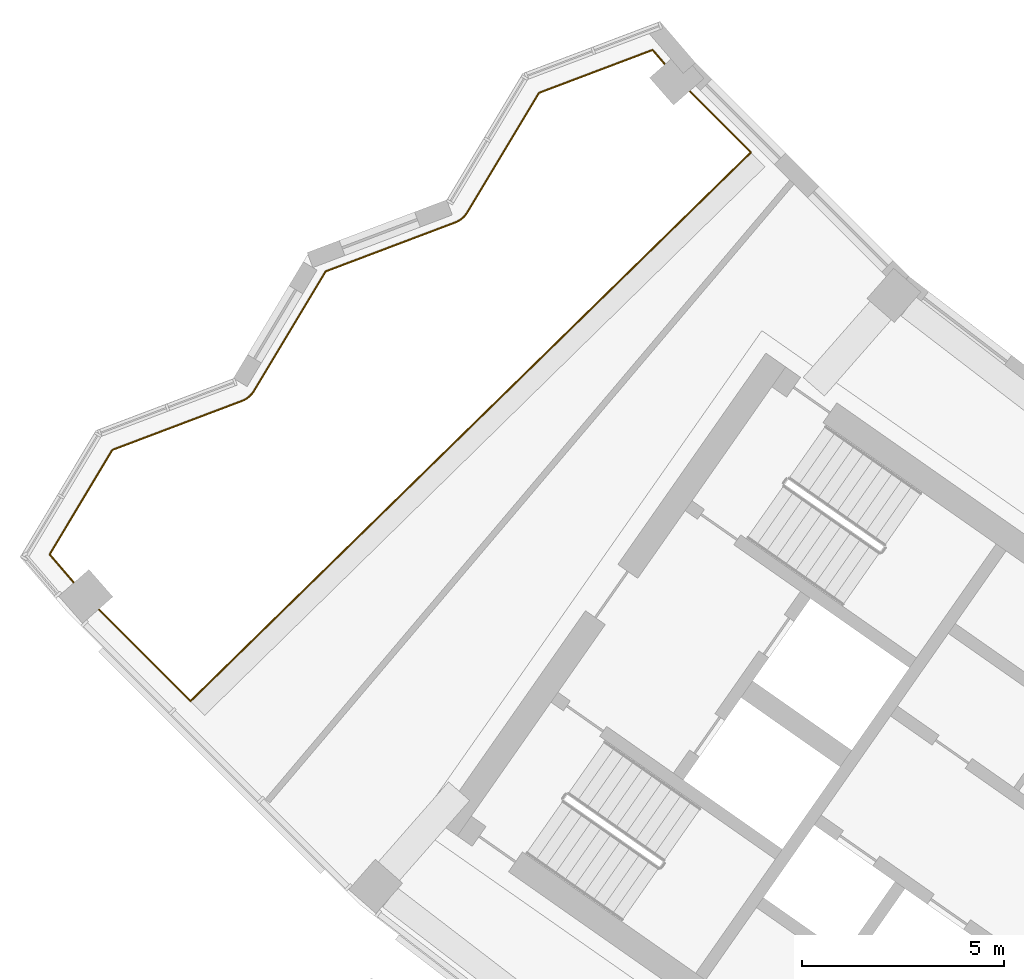
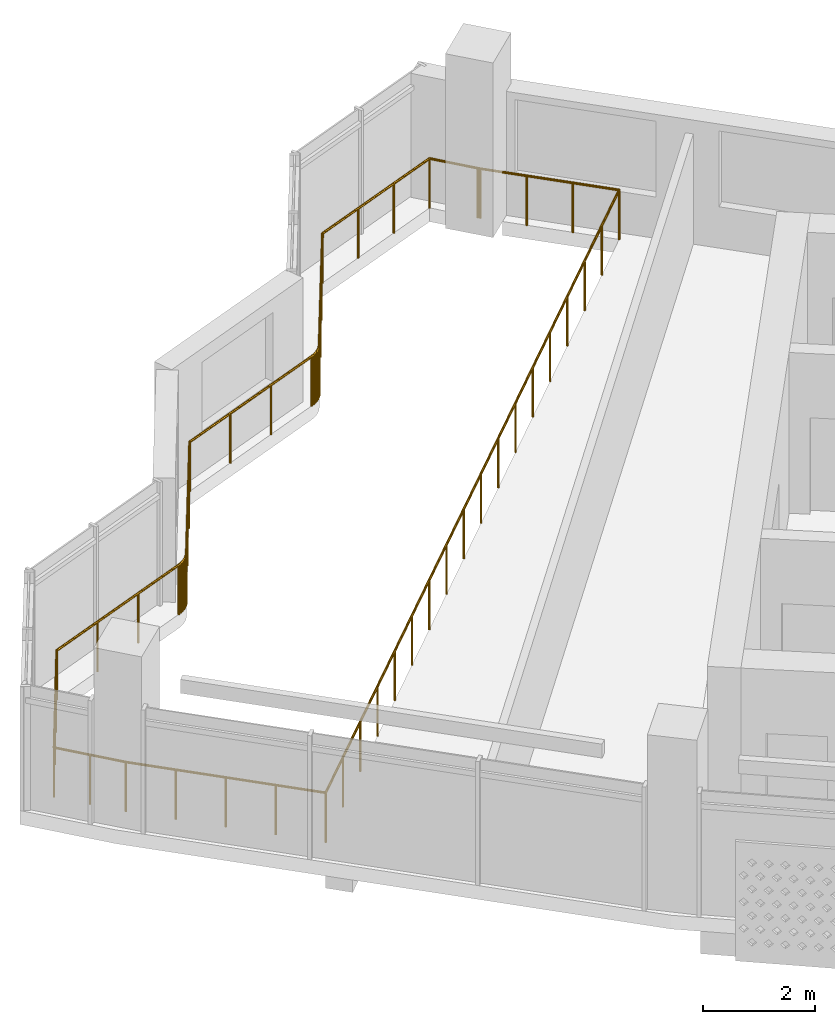
# One storey, part 26 of 29: 1 railing.
"""IFC4 building model written with IfcOpenShell, lengths in metres."""

from ifc_helpers import new_model, si_unit, direction, frame, origin, origin_2d, place, context, subcontext, project, spatial, circle, extrude, material, type_object, element, save


model = new_model("IFC4")

# Units and contexts
model_context = context("Model", 3, precision=1e-05, world=origin(), true_north=direction((0.0, 1.0)))
body_context = subcontext(model_context, "Body", "Model", "MODEL_VIEW")
ifc_project = project(units=[si_unit("LENGTHUNIT", "METRE"), si_unit("AREAUNIT", "SQUARE_METRE"), si_unit("VOLUMEUNIT", "CUBIC_METRE"), si_unit("PLANEANGLEUNIT", "RADIAN"), si_unit("MASSUNIT", "GRAM", prefix="KILO")], contexts=[model_context])

# Site, building, storey
site_placement = place(None, origin())
site = spatial("IfcSite", under=ifc_project, at=site_placement, CompositionType="ELEMENT")
building_placement = place(site_placement, origin())
building = spatial("IfcBuilding", under=site, at=building_placement, Name="Qamariyya Broadcast Tower", CompositionType="ELEMENT")
storey_placement = place(building_placement, frame((0.0, 0.0, 261.89990234375)))
storey = spatial("IfcBuildingStorey", under=building, at=storey_placement, Name="L63", CompositionType="ELEMENT", Elevation=261.89990234375)

# Railing
ifc_material = material(Name="Stainless steel S316 balustrade", Category="steel")
railing_type = type_object("IfcRailingType", Name="Garden void guard", PredefinedType="GUARDRAIL", material=ifc_material)
railing_placement = place(storey_placement, frame((-58.466064453125, -51.251708984375, 0.0)))
element("IfcRailing", 1, at=railing_placement, inside=storey, type_object=railing_type, Name="Guard round Sky garden B5", PredefinedType="GUARDRAIL", context=body_context, shape_type="SweptSolid", body=[
    extrude(circle(Radius=0.02392578125, at=origin_2d()), frame((0.0, 0.0, 1.076171875), z_axis=(0.707106781187, -0.707106781187, 0.0), x_axis=(0.707106781187, 0.707106781187, 0.0)), (0.0, 0.0, 1.0), 3.688720703125),
    extrude(circle(Radius=0.02392578125, at=origin_2d()), frame((2.6083984375, -2.6083984375, 1.076171875), z_axis=(0.71447749476, 0.699658423434, 0.0), x_axis=(-0.699658423434, 0.71447749476, 0.0)), (0.0, 0.0, 1.0), 19.456787109375),
    extrude(circle(Radius=0.02392578125, at=origin_2d()), frame((16.509765625, 11.004638671875, 1.076171875), z_axis=(-0.707106781187, 0.707106781187, 0.0), x_axis=(-0.707106781187, -0.707106781187, 0.0)), (0.0, 0.0, 1.0), 2.561767578125),
    extrude(circle(Radius=0.02392578125, at=origin_2d()), frame((14.6982421875, 12.816162109375, 1.076171875), z_axis=(-0.680248811934, 0.732981277975, 0.0), x_axis=(-0.732981277975, -0.680248811934, 0.0)), (0.0, 0.0, 1.0), 0.04638671875),
    extrude(circle(Radius=0.02392578125, at=origin_2d()), frame((14.666748046875, 12.85009765625, 1.076171875), z_axis=(-0.650483197901, 0.759520644386, 0.0), x_axis=(-0.759520644386, -0.650483197901, 0.0)), (0.0, 0.0, 1.0), 0.91357421875),
    extrude(circle(Radius=0.02392578125, at=origin_2d()), frame((14.072509765625, 13.5439453125, 1.076171875), z_axis=(-0.935534008781, -0.353236632323, 0.0), x_axis=(0.353236632323, -0.935534008781, 0.0)), (0.0, 0.0, 1.0), 3.011962890625),
    extrude(circle(Radius=0.02392578125, at=origin_2d()), frame((11.254638671875, 12.47998046875, 1.076171875), z_axis=(-0.514464582217, -0.857511628868, 0.0), x_axis=(0.857511628868, -0.514464582217, 0.0)), (0.0, 0.0, 1.0), 3.455322265625),
    extrude(circle(Radius=0.02392578125, at=origin_2d()), frame((9.47705078125, 9.51708984375, 1.076171875), z_axis=(-0.554700196225, -0.832050294338, 0.0), x_axis=(0.832050294338, -0.554700196225, 0.0)), (0.0, 0.0, 1.0), 0.05712890625),
    extrude(circle(Radius=0.02392578125, at=origin_2d()), frame((9.4453125, 9.469482421875, 1.076171875), z_axis=(-0.628831476095, -0.777541622469, 0.0), x_axis=(0.777541622469, -0.628831476095, 0.0)), (0.0, 0.0, 1.0), 0.057373046875),
    extrude(circle(Radius=0.02392578125, at=origin_2d()), frame((9.4091796875, 9.4248046875, 1.076171875), z_axis=(-0.702834349061, -0.711353553292, 0.0), x_axis=(0.711353553292, -0.702834349061, 0.0)), (0.0, 0.0, 1.0), 0.057373046875),
    extrude(circle(Radius=0.02392578125, at=origin_2d()), frame((9.368896484375, 9.384033203125, 1.076171875), z_axis=(-0.769961845988, -0.638089927614, 0.0), x_axis=(0.638089927614, -0.769961845988, 0.0)), (0.0, 0.0, 1.0), 0.057373046875),
    extrude(circle(Radius=0.02392578125, at=origin_2d()), frame((9.32470703125, 9.347412109375, 1.076171875), z_axis=(-0.824785502521, -0.56544573111, 0.0), x_axis=(0.56544573111, -0.824785502521, 0.0)), (0.0, 0.0, 1.0), 0.057373046875),
    extrude(circle(Radius=0.02392578125, at=origin_2d()), frame((9.27734375, 9.31494140625, 1.076171875), z_axis=(-0.875764543787, -0.482738504624, 0.0), x_axis=(0.482738504624, -0.875764543787, 0.0)), (0.0, 0.0, 1.0), 0.05712890625),
    extrude(circle(Radius=0.02392578125, at=origin_2d()), frame((9.227294921875, 9.287353515625, 1.076171875), z_axis=(-0.916935025341, -0.399036538806, 0.0), x_axis=(0.399036538806, -0.916935025341, 0.0)), (0.0, 0.0, 1.0), 0.0576171875),
    extrude(circle(Radius=0.02392578125, at=origin_2d()), frame((9.174560546875, 9.264404296875, 1.076171875), z_axis=(-0.935490895802, -0.353350794356, 0.0), x_axis=(0.353350794356, -0.935490895802, 0.0)), (0.0, 0.0, 1.0), 3.433837890625),
    extrude(circle(Radius=0.02392578125, at=origin_2d()), frame((5.962158203125, 8.051025390625, 1.076171875), z_axis=(-0.514350227014, -0.857580225967, 0.0), x_axis=(0.857580225967, -0.514350227014, 0.0)), (0.0, 0.0, 1.0), 3.4541015625),
    extrude(circle(Radius=0.02392578125, at=origin_2d()), frame((4.185546875, 5.0888671875, 1.076171875), z_axis=(-0.554700196225, -0.832050294338, 0.0), x_axis=(0.832050294338, -0.554700196225, 0.0)), (0.0, 0.0, 1.0), 0.05712890625),
    extrude(circle(Radius=0.02392578125, at=origin_2d()), frame((4.15380859375, 5.041259765625, 1.076171875), z_axis=(-0.63346927771, -0.773767842572, 0.0), x_axis=(0.773767842572, -0.63346927771, 0.0)), (0.0, 0.0, 1.0), 0.057373046875),
    extrude(circle(Radius=0.02392578125, at=origin_2d()), frame((4.117431640625, 4.996826171875, 1.076171875), z_axis=(-0.702834349061, -0.711353553292, 0.0), x_axis=(0.711353553292, -0.702834349061, 0.0)), (0.0, 0.0, 1.0), 0.057373046875),
    extrude(circle(Radius=0.02392578125, at=origin_2d()), frame((4.0771484375, 4.9560546875, 1.076171875), z_axis=(-0.766123938186, -0.642692859256, 0.0), x_axis=(0.642692859256, -0.766123938186, 0.0)), (0.0, 0.0, 1.0), 0.057373046875),
    extrude(circle(Radius=0.02392578125, at=origin_2d()), frame((4.033203125, 4.919189453125, 1.076171875), z_axis=(-0.824785502521, -0.56544573111, 0.0), x_axis=(0.56544573111, -0.824785502521, 0.0)), (0.0, 0.0, 1.0), 0.057373046875),
    extrude(circle(Radius=0.02392578125, at=origin_2d()), frame((3.98583984375, 4.88671875, 1.076171875), z_axis=(-0.875764543787, -0.482738504624, 0.0), x_axis=(0.482738504624, -0.875764543787, 0.0)), (0.0, 0.0, 1.0), 0.05712890625),
    extrude(circle(Radius=0.02392578125, at=origin_2d()), frame((3.935791015625, 4.859130859375, 1.076171875), z_axis=(-0.916935025341, -0.399036538806, 0.0), x_axis=(0.399036538806, -0.916935025341, 0.0)), (0.0, 0.0, 1.0), 0.0576171875),
    extrude(circle(Radius=0.02392578125, at=origin_2d()), frame((3.883056640625, 4.836181640625, 1.076171875), z_axis=(-0.935479403611, -0.353381218261, 0.0), x_axis=(0.353381218261, -0.935479403611, 0.0)), (0.0, 0.0, 1.0), 3.43505859375),
    extrude(circle(Radius=0.02392578125, at=origin_2d()), frame((0.669677734375, 3.622314453125, 1.076171875), z_axis=(-0.514246148045, -0.857642640743, 0.0), x_axis=(0.857642640743, -0.514246148045, 0.0)), (0.0, 0.0, 1.0), 3.020751953125),
    extrude(circle(Radius=0.02392578125, at=origin_2d()), frame((-0.8837890625, 1.031494140625, 1.076171875), z_axis=(0.650643343429, -0.759383460217, 0.0), x_axis=(0.759383460217, 0.650643343429, 0.0)), (0.0, 0.0, 1.0), 1.3583984375),
    extrude(circle(Radius=0.02099609375, at=origin_2d()), origin(), (0.0, 0.0, 1.0), 1.052001953125),
    extrude(circle(Radius=0.02099609375, at=origin_2d()), frame((0.652099609375, -0.652099609375, 0.0)), (0.0, 0.0, 1.0), 1.052001953125),
    extrude(circle(Radius=0.02099609375, at=origin_2d()), frame((1.30419921875, -1.30419921875, 0.0)), (0.0, 0.0, 1.0), 1.052001953125),
    extrude(circle(Radius=0.02099609375, at=origin_2d()), frame((1.956298828125, -1.956298828125, 0.0)), (0.0, 0.0, 1.0), 1.052001953125),
    extrude(circle(Radius=0.02099609375, at=origin_2d()), frame((2.6083984375, -2.6083984375, 0.0)), (0.0, 0.0, 1.0), 1.052001953125),
    extrude(circle(Radius=0.02099609375, at=origin_2d()), frame((3.426025390625, -1.8076171875, 0.0)), (0.0, 0.0, 1.0), 1.052001953125),
    extrude(circle(Radius=0.02099609375, at=origin_2d()), frame((4.243896484375, -1.0068359375, 0.0)), (0.0, 0.0, 1.0), 1.052001953125),
    extrude(circle(Radius=0.02099609375, at=origin_2d()), frame((5.0615234375, -0.2060546875, 0.0)), (0.0, 0.0, 1.0), 1.052001953125),
    extrude(circle(Radius=0.02099609375, at=origin_2d()), frame((5.87939453125, 0.5947265625, 0.0)), (0.0, 0.0, 1.0), 1.052001953125),
    extrude(circle(Radius=0.02099609375, at=origin_2d()), frame((6.697021484375, 1.3955078125, 0.0)), (0.0, 0.0, 1.0), 1.052001953125),
    extrude(circle(Radius=0.02099609375, at=origin_2d()), frame((7.5146484375, 2.1962890625, 0.0)), (0.0, 0.0, 1.0), 1.052001953125),
    extrude(circle(Radius=0.02099609375, at=origin_2d()), frame((8.33251953125, 2.9970703125, 0.0)), (0.0, 0.0, 1.0), 1.052001953125),
    extrude(circle(Radius=0.02099609375, at=origin_2d()), frame((9.150146484375, 3.7978515625, 0.0)), (0.0, 0.0, 1.0), 1.052001953125),
    extrude(circle(Radius=0.02099609375, at=origin_2d()), frame((9.968017578125, 4.598388671875, 0.0)), (0.0, 0.0, 1.0), 1.052001953125),
    extrude(circle(Radius=0.02099609375, at=origin_2d()), frame((10.78564453125, 5.399169921875, 0.0)), (0.0, 0.0, 1.0), 1.052001953125),
    extrude(circle(Radius=0.02099609375, at=origin_2d()), frame((11.603515625, 6.199951171875, 0.0)), (0.0, 0.0, 1.0), 1.052001953125),
    extrude(circle(Radius=0.02099609375, at=origin_2d()), frame((12.421142578125, 7.000732421875, 0.0)), (0.0, 0.0, 1.0), 1.052001953125),
    extrude(circle(Radius=0.02099609375, at=origin_2d()), frame((13.23876953125, 7.801513671875, 0.0)), (0.0, 0.0, 1.0), 1.052001953125),
    extrude(circle(Radius=0.02099609375, at=origin_2d()), frame((14.056640625, 8.602294921875, 0.0)), (0.0, 0.0, 1.0), 1.052001953125),
    extrude(circle(Radius=0.02099609375, at=origin_2d()), frame((14.874267578125, 9.403076171875, 0.0)), (0.0, 0.0, 1.0), 1.052001953125),
    extrude(circle(Radius=0.02099609375, at=origin_2d()), frame((15.692138671875, 10.203857421875, 0.0)), (0.0, 0.0, 1.0), 1.052001953125),
    extrude(circle(Radius=0.02099609375, at=origin_2d()), frame((16.509765625, 11.004638671875, 0.0)), (0.0, 0.0, 1.0), 1.052001953125),
    extrude(circle(Radius=0.02099609375, at=origin_2d()), frame((15.906005859375, 11.6083984375, 0.0)), (0.0, 0.0, 1.0), 1.052001953125),
    extrude(circle(Radius=0.02099609375, at=origin_2d()), frame((15.302001953125, 12.21240234375, 0.0)), (0.0, 0.0, 1.0), 1.052001953125),
    extrude(circle(Radius=0.02099609375, at=origin_2d()), frame((14.6982421875, 12.816162109375, 0.0)), (0.0, 0.0, 1.0), 1.052001953125),
    extrude(circle(Radius=0.02099609375, at=origin_2d()), frame((14.666748046875, 12.85009765625, 0.0)), (0.0, 0.0, 1.0), 1.052001953125),
    extrude(circle(Radius=0.02099609375, at=origin_2d()), frame((14.072509765625, 13.5439453125, 0.0)), (0.0, 0.0, 1.0), 1.052001953125),
    extrude(circle(Radius=0.02099609375, at=origin_2d()), frame((13.13330078125, 13.189208984375, 0.0)), (0.0, 0.0, 1.0), 1.052001953125),
    extrude(circle(Radius=0.02099609375, at=origin_2d()), frame((12.19384765625, 12.834716796875, 0.0)), (0.0, 0.0, 1.0), 1.052001953125),
    extrude(circle(Radius=0.02099609375, at=origin_2d()), frame((11.254638671875, 12.47998046875, 0.0)), (0.0, 0.0, 1.0), 1.052001953125),
    extrude(circle(Radius=0.02099609375, at=origin_2d()), frame((10.662109375, 11.492431640625, 0.0)), (0.0, 0.0, 1.0), 1.052001953125),
    extrude(circle(Radius=0.02099609375, at=origin_2d()), frame((10.069580078125, 10.504638671875, 0.0)), (0.0, 0.0, 1.0), 1.052001953125),
    extrude(circle(Radius=0.02099609375, at=origin_2d()), frame((9.47705078125, 9.51708984375, 0.0)), (0.0, 0.0, 1.0), 1.052001953125),
    extrude(circle(Radius=0.02099609375, at=origin_2d()), frame((9.4453125, 9.469482421875, 0.0)), (0.0, 0.0, 1.0), 1.052001953125),
    extrude(circle(Radius=0.02099609375, at=origin_2d()), frame((9.4091796875, 9.4248046875, 0.0)), (0.0, 0.0, 1.0), 1.052001953125),
    extrude(circle(Radius=0.02099609375, at=origin_2d()), frame((9.368896484375, 9.384033203125, 0.0)), (0.0, 0.0, 1.0), 1.052001953125),
    extrude(circle(Radius=0.02099609375, at=origin_2d()), frame((9.32470703125, 9.347412109375, 0.0)), (0.0, 0.0, 1.0), 1.052001953125),
    extrude(circle(Radius=0.02099609375, at=origin_2d()), frame((9.27734375, 9.31494140625, 0.0)), (0.0, 0.0, 1.0), 1.052001953125),
    extrude(circle(Radius=0.02099609375, at=origin_2d()), frame((9.227294921875, 9.287353515625, 0.0)), (0.0, 0.0, 1.0), 1.052001953125),
    extrude(circle(Radius=0.02099609375, at=origin_2d()), frame((9.174560546875, 9.264404296875, 0.0)), (0.0, 0.0, 1.0), 1.052001953125),
    extrude(circle(Radius=0.02099609375, at=origin_2d()), frame((8.103759765625, 8.85986328125, 0.0)), (0.0, 0.0, 1.0), 1.052001953125),
    extrude(circle(Radius=0.02099609375, at=origin_2d()), frame((7.032958984375, 8.45556640625, 0.0)), (0.0, 0.0, 1.0), 1.052001953125),
    extrude(circle(Radius=0.02099609375, at=origin_2d()), frame((5.962158203125, 8.051025390625, 0.0)), (0.0, 0.0, 1.0), 1.052001953125),
    extrude(circle(Radius=0.02099609375, at=origin_2d()), frame((5.369873046875, 7.063720703125, 0.0)), (0.0, 0.0, 1.0), 1.052001953125),
    extrude(circle(Radius=0.02099609375, at=origin_2d()), frame((4.77783203125, 6.076171875, 0.0)), (0.0, 0.0, 1.0), 1.052001953125),
    extrude(circle(Radius=0.02099609375, at=origin_2d()), frame((4.185546875, 5.0888671875, 0.0)), (0.0, 0.0, 1.0), 1.052001953125),
    extrude(circle(Radius=0.02099609375, at=origin_2d()), frame((4.15380859375, 5.041259765625, 0.0)), (0.0, 0.0, 1.0), 1.052001953125),
    extrude(circle(Radius=0.02099609375, at=origin_2d()), frame((4.117431640625, 4.996826171875, 0.0)), (0.0, 0.0, 1.0), 1.052001953125),
    extrude(circle(Radius=0.02099609375, at=origin_2d()), frame((4.0771484375, 4.9560546875, 0.0)), (0.0, 0.0, 1.0), 1.052001953125),
    extrude(circle(Radius=0.02099609375, at=origin_2d()), frame((4.033203125, 4.919189453125, 0.0)), (0.0, 0.0, 1.0), 1.052001953125),
    extrude(circle(Radius=0.02099609375, at=origin_2d()), frame((3.98583984375, 4.88671875, 0.0)), (0.0, 0.0, 1.0), 1.052001953125),
    extrude(circle(Radius=0.02099609375, at=origin_2d()), frame((3.935791015625, 4.859130859375, 0.0)), (0.0, 0.0, 1.0), 1.052001953125),
    extrude(circle(Radius=0.02099609375, at=origin_2d()), frame((3.883056640625, 4.836181640625, 0.0)), (0.0, 0.0, 1.0), 1.052001953125),
    extrude(circle(Radius=0.02099609375, at=origin_2d()), frame((2.81201171875, 4.431640625, 0.0)), (0.0, 0.0, 1.0), 1.052001953125),
    extrude(circle(Radius=0.02099609375, at=origin_2d()), frame((1.74072265625, 4.02685546875, 0.0)), (0.0, 0.0, 1.0), 1.052001953125),
    extrude(circle(Radius=0.02099609375, at=origin_2d()), frame((0.669677734375, 3.622314453125, 0.0)), (0.0, 0.0, 1.0), 1.052001953125),
    extrude(circle(Radius=0.02099609375, at=origin_2d()), frame((0.15185546875, 2.7587890625, 0.0)), (0.0, 0.0, 1.0), 1.052001953125),
    extrude(circle(Radius=0.02099609375, at=origin_2d()), frame((-0.365966796875, 1.89501953125, 0.0)), (0.0, 0.0, 1.0), 1.052001953125),
    extrude(circle(Radius=0.02099609375, at=origin_2d()), frame((-0.8837890625, 1.031494140625, 0.0)), (0.0, 0.0, 1.0), 1.052001953125),
    extrude(circle(Radius=0.02099609375, at=origin_2d()), frame((-0.44189453125, 0.515625, 0.0)), (0.0, 0.0, 1.0), 1.052001953125),
])

save(model, "model.ifc")
